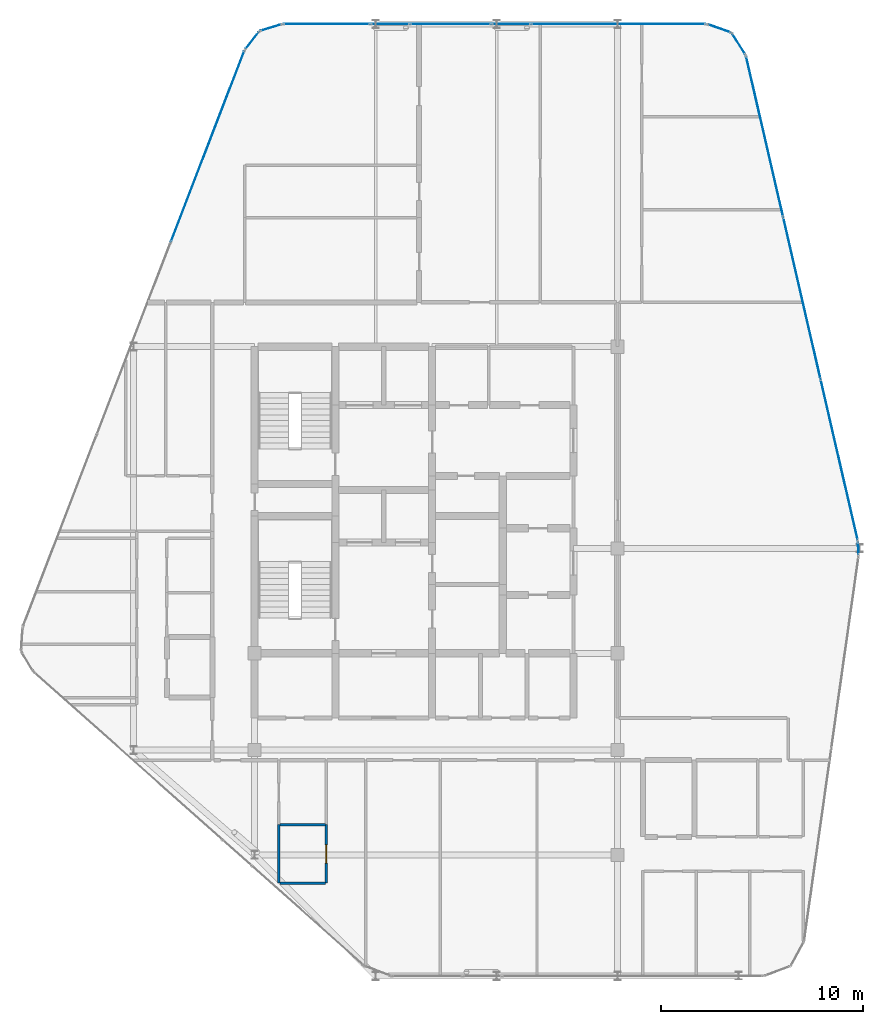
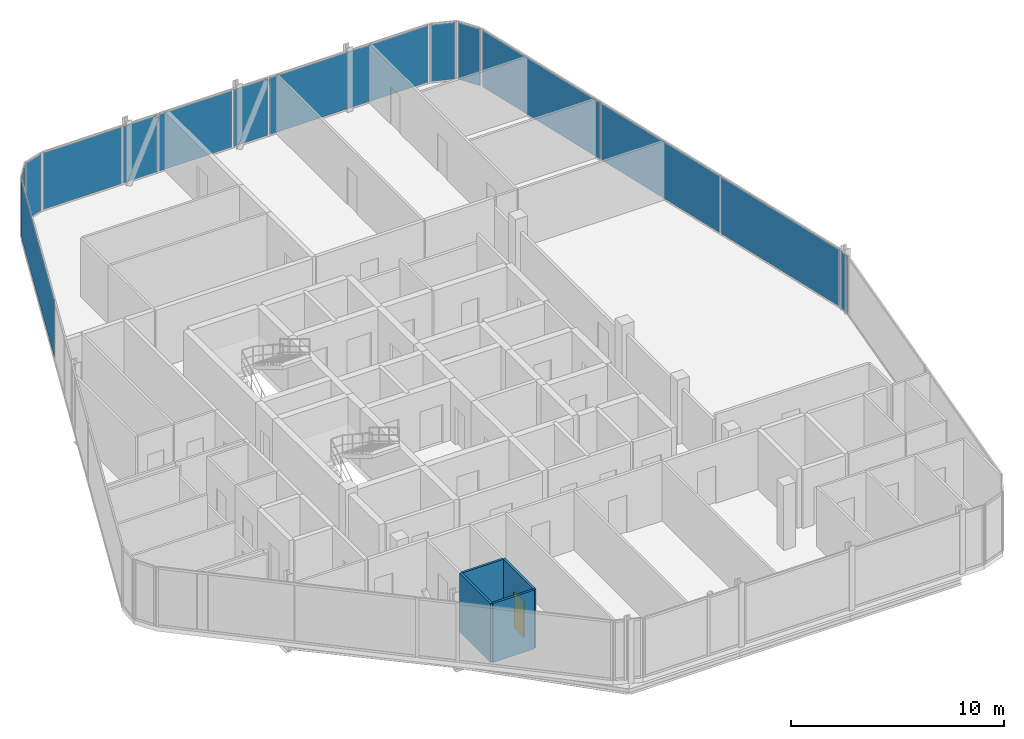
# One storey, part 21 of 27: 14 plates, 4 walls, 1 door, 1 opening, 12 elements without a shape of their own.
"""IFC4 building model written with IfcOpenShell, lengths in metres."""

import ifcopenshell
import ifcopenshell.guid

model = None  # the IFC model being written
_history = None  # IfcOwnerHistory: only IFC2X3 demands one
_inside = {}  # id of a spatial element -> (the spatial element, [elements in it])
_under = {}  # id of a project, library or spatial element -> (it, [spatial elements below it])
_declared = {}  # id of a project -> (the project, [libraries it declares])
_typed = {}  # id of a type object -> (the type object, [elements of that type])
_made_of = {}  # id of a material, layer set ... -> (it, [elements and type objects made of it])


def new_model(schema):
    """Start an empty IFC model of exactly this schema.

    Asked for "IFC4X3", IfcOpenShell would pick the latest addendum, in which some entities
    have other attributes; the version numbers below select the first issue.
    IFC2X3 requires an IfcOwnerHistory on every rooted entity: one is made here for all.
    """
    global model, _history
    if schema == "IFC4X3":
        model = ifcopenshell.file(schema_version=(4, 3, 0, 0))
    else:
        model = ifcopenshell.file(schema=schema)
    _inside.clear()
    _under.clear()
    _declared.clear()
    _typed.clear()
    _made_of.clear()
    _history = None
    if model.schema == "IFC2X3":
        org = make("IfcOrganization", Name="unknown")
        user = make(
            "IfcPersonAndOrganization",
            ThePerson=make("IfcPerson", FamilyName="unknown"),
            TheOrganization=org,
        )
        app = make(
            "IfcApplication",
            ApplicationDeveloper=org,
            Version="unknown",
            ApplicationFullName="unknown",
            ApplicationIdentifier="unknown",
        )
        _history = make(
            "IfcOwnerHistory",
            OwningUser=user,
            OwningApplication=app,
            ChangeAction="ADDED",
            CreationDate=0,
        )
    return model


def make(cls, **values):
    """One entity of the class cls with the attributes given. An attribute that is None is left unset."""
    return model.create_entity(
        cls, **{name: value for name, value in values.items() if value is not None}
    )


def rooted(cls, **values):
    """An entity with a GlobalId (a new one), such as an element, a storey or a relation."""
    return make(cls, GlobalId=ifcopenshell.guid.new(), OwnerHistory=_history, **values)


def si_unit(unit_type, name, prefix=None):
    """IfcSIUnit, for example si_unit("LENGTHUNIT", "METRE", prefix="MILLI")."""
    return make("IfcSIUnit", UnitType=unit_type, Prefix=prefix, Name=name)


def assignment(units):
    """IfcUnitAssignment: the units of a project."""
    return None if units is None else make("IfcUnitAssignment", Units=units)


def point(xyz):
    """IfcCartesianPoint."""
    return None if xyz is None else make("IfcCartesianPoint", Coordinates=xyz)


def direction(xyz):
    """IfcDirection."""
    return None if xyz is None else make("IfcDirection", DirectionRatios=xyz)


def frame(location, z_axis=None, x_axis=None):
    """IfcAxis2Placement3D, a coordinate frame: its origin and axes. An axis left out is left unset."""
    return make(
        "IfcAxis2Placement3D",
        Location=point(location),
        Axis=direction(z_axis),
        RefDirection=direction(x_axis),
    )


def frame_2d(location, x_axis=None):
    """IfcAxis2Placement2D, a coordinate frame in the plane: its origin and x axis."""
    return make(
        "IfcAxis2Placement2D", Location=point(location), RefDirection=direction(x_axis)
    )


def origin():
    """The frame at (0, 0, 0) with its axes left unset."""
    return frame((0.0, 0.0, 0.0))


def origin_2d():
    """The frame at (0, 0) in the plane with its x axis left unset."""
    return frame_2d((0.0, 0.0))


def place(relative_to, where):
    """IfcLocalPlacement: puts the frame where relative to a parent placement (None: the world)."""
    return make(
        "IfcLocalPlacement", PlacementRelTo=relative_to, RelativePlacement=where
    )


def context(
    kind, dimensions, precision=None, world=None, true_north=None, identifier=None
):
    """IfcGeometricRepresentationContext, for example the 3D "Model" context."""
    return make(
        "IfcGeometricRepresentationContext",
        ContextIdentifier=identifier,
        ContextType=kind,
        CoordinateSpaceDimension=dimensions,
        Precision=precision,
        WorldCoordinateSystem=world,
        TrueNorth=true_north,
    )


def subcontext(parent, identifier, kind, view, scale=None):
    """IfcGeometricRepresentationSubContext, for example "Body" below "Model"."""
    return make(
        "IfcGeometricRepresentationSubContext",
        ContextIdentifier=identifier,
        ContextType=kind,
        ParentContext=parent,
        TargetScale=scale,
        TargetView=view,
    )


def project(units=None, contexts=None):
    """IfcProject with its units and contexts."""
    return rooted(
        "IfcProject",
        Name="project",
        RepresentationContexts=contexts,
        UnitsInContext=assignment(units),
    )


def spatial(cls, under=None, at=None, **own):
    """A site, building, storey or space (cls), placed at a placement, below another one or the project."""
    s = rooted(cls, ObjectPlacement=at, **own)
    if under is not None:
        _under.setdefault(under.id(), (under, []))[1].append(s)
    return s


def profile(cls, at=None, kind="AREA", **sizes):
    """A parametric profile (cls). Its sizes go by their IFC names, for example OverallWidth=200.0."""
    return make(cls, ProfileType=kind, Position=at, **sizes)


def rectangle(**sizes):
    """IfcRectangleProfileDef."""
    return profile("IfcRectangleProfileDef", **sizes)


def extrude(swept, where, along, depth):
    """IfcExtrudedAreaSolid: the profile swept, set in the frame where, extruded along a direction by depth."""
    return make(
        "IfcExtrudedAreaSolid",
        SweptArea=swept,
        Position=where,
        ExtrudedDirection=direction(along),
        Depth=depth,
    )


def shape(context_of_items, identifier, shape_type, items):
    """IfcShapeRepresentation: the items that make up one representation, for example the "Body"."""
    return make(
        "IfcShapeRepresentation",
        ContextOfItems=context_of_items,
        RepresentationIdentifier=identifier,
        RepresentationType=shape_type,
        Items=items,
    )


def material(Name=None, Category=None):
    """IfcMaterial."""
    return make("IfcMaterial", Name=Name, Category=Category)


def layer(
    of_material, thickness, ventilated=None, Name=None, Category=None, Priority=None
):
    """IfcMaterialLayer: one layer of a wall or slab, of a material (None: an air gap)."""
    return make(
        "IfcMaterialLayer",
        Material=of_material,
        LayerThickness=thickness,
        IsVentilated=ventilated,
        Name=Name,
        Category=Category,
        Priority=Priority,
    )


def layer_set(layers, Name=None):
    """IfcMaterialLayerSet."""
    return make("IfcMaterialLayerSet", MaterialLayers=layers, LayerSetName=Name)


def made_of(thing, what):
    """Note that an element or type object is made of a material, layer set ...; save() writes the relation."""
    if what is not None:
        _made_of.setdefault(what.id(), (what, []))[1].append(thing)
    return thing


def type_object(cls, material=None, **own):
    """A type object (cls), such as IfcWallType, which elements share."""
    return made_of(rooted(cls, **own), material)


def element(
    cls,
    number,
    at=None,
    inside=None,
    cuts=None,
    type_object=None,
    material=None,
    context=None,
    identifier="Body",
    shape_type=None,
    held_by="IfcProductDefinitionShape",
    body=None,
    shapes=None,
    **own,
):
    """One element of the class cls, such as IfcWall. Its Tag is "e" and its number.

    at: its placement. inside: the storey or other place that contains it. cuts: it is an
    opening in that element (IfcRelVoidsElement). A single representation is given by context,
    identifier, shape_type and body (its items); several are given by shapes. held_by: the class
    of the entity that holds the representations. save() writes the other relations.
    """
    e = rooted(cls, Tag="e%d" % number, ObjectPlacement=at, **own)
    if body is not None:
        shapes = [shape(context, identifier, shape_type, body)]
    if shapes is not None:
        e.Representation = make(held_by, Representations=shapes)
    if inside is not None:
        _inside.setdefault(inside.id(), (inside, []))[1].append(e)
    if cuts is not None:
        rooted(
            "IfcRelVoidsElement", RelatingBuildingElement=cuts, RelatedOpeningElement=e
        )
    if type_object is not None:
        _typed.setdefault(type_object.id(), (type_object, []))[1].append(e)
    return made_of(e, material)


def fill(opening, filler):
    """IfcRelFillsElement: the door or window that sits in an opening."""
    return rooted(
        "IfcRelFillsElement",
        RelatingOpeningElement=opening,
        RelatedBuildingElement=filler,
    )


def aggregate(whole, parts):
    """IfcRelAggregates: a whole, such as a stair, and the parts it consists of."""
    return rooted("IfcRelAggregates", RelatingObject=whole, RelatedObjects=parts)


def save(model, path):
    """Write the relations noted so far, then the file.

    IfcRelAggregates (storeys below a building ...), IfcRelContainedInSpatialStructure (elements
    in a storey), IfcRelDefinesByType, IfcRelAssociatesMaterial and IfcRelDeclares: one each for
    every whole, place, type object, material and project.
    """
    for whole, parts in _under.values():
        aggregate(whole, parts)
    for where, things in _inside.values():
        rooted(
            "IfcRelContainedInSpatialStructure",
            RelatedElements=things,
            RelatingStructure=where,
        )
    for kind, things in _typed.values():
        rooted("IfcRelDefinesByType", RelatedObjects=things, RelatingType=kind)
    for what, things in _made_of.values():
        rooted("IfcRelAssociatesMaterial", RelatedObjects=things, RelatingMaterial=what)
    for by, libraries in _declared.values():
        rooted("IfcRelDeclares", RelatingContext=by, RelatedDefinitions=libraries)
    model.write(path)


model = new_model("IFC4")

# Units and contexts
model_context = context("Model", 3, precision=1e-05, world=origin(), true_north=direction((0.0, 1.0)))
body_context = subcontext(model_context, "Body", "Model", "MODEL_VIEW")
ifc_project = project(units=[si_unit("LENGTHUNIT", "METRE"), si_unit("AREAUNIT", "SQUARE_METRE"), si_unit("VOLUMEUNIT", "CUBIC_METRE"), si_unit("PLANEANGLEUNIT", "RADIAN"), si_unit("MASSUNIT", "GRAM", prefix="KILO")], contexts=[model_context])

# Site, building, storey
site_placement = place(None, origin())
site = spatial("IfcSite", under=ifc_project, at=site_placement, CompositionType="ELEMENT")
building_placement = place(site_placement, origin())
building = spatial("IfcBuilding", under=site, at=building_placement, Name="Keshet Zoharim Tower", CompositionType="ELEMENT")
storey_placement = place(building_placement, frame((0.0, 0.0, 307.300048828125)))
storey = spatial("IfcBuildingStorey", under=building, at=storey_placement, Name="L77", CompositionType="ELEMENT", Elevation=307.300048828125)

# Curtain wall, plate
ifc_material_1 = material(Name="Aluminium 6063-T6", Category="aluminium")
ifc_layer_1 = layer(ifc_material_1, 0.260009765625)
ifc_layer_set_1 = layer_set([ifc_layer_1], Name="Aluminium 6063-T6")
curtain_wall_type = type_object("IfcCurtainWallType", Name="CW-SYS-06", PredefinedType="NOTDEFINED", material=ifc_layer_set_1)
curtain_wall_1_placement = place(storey_placement, origin())
curtain_wall_1 = element("IfcCurtainWall", 1, at=curtain_wall_1_placement, inside=storey, type_object=curtain_wall_type, Name="L77 Unitised Curtain Wall 03", PredefinedType="NOTDEFINED")
ifc_material_2 = material(Name="Insulated Low-E Clear Glass", Category="glass")
ifc_layer_2 = layer(ifc_material_2, 0.028076171875)
ifc_layer_set_2 = layer_set([ifc_layer_2], Name="Insulated Low-E Clear Glass")
plate_type_1 = type_object("IfcPlateType", Name="CWP-03", PredefinedType="CURTAIN_PANEL", material=ifc_layer_set_2)
plate_1_placement = place(storey_placement, frame((12.665771484375, 47.830810546875, 0.070068359375), z_axis=(0.0, 0.0, 1.0), x_axis=(0.358990003907, 0.933341404361, 0.0)))
plate_1 = element("IfcPlate", 2, at=plate_1_placement, type_object=plate_type_1, Name="CW-06 panel 3.1", PredefinedType="CURTAIN_PANEL", context=body_context, shape_type="SweptSolid", body=[
    extrude(rectangle(XDim=10.1181640625, YDim=0.028076171875, at=origin_2d()), origin(), (0.0, 0.0, 1.0), 3.25),
])
aggregate(curtain_wall_1, [plate_1])

curtain_wall_2_placement = place(storey_placement, origin())
curtain_wall_2 = element("IfcCurtainWall", 3, at=curtain_wall_2_placement, inside=storey, type_object=curtain_wall_type, Name="L77 Unitised Curtain Wall 04", PredefinedType="NOTDEFINED")
plate_2_placement = place(storey_placement, frame((14.8740234375, 53.08349609375, 0.070068359375), z_axis=(0.0, 0.0, 1.0), x_axis=(0.619124525989, 0.785292825205, 0.0)))
plate_2 = element("IfcPlate", 4, at=plate_2_placement, type_object=plate_type_1, Name="CW-06 panel 1.1", PredefinedType="CURTAIN_PANEL", context=body_context, shape_type="SweptSolid", body=[
    extrude(rectangle(XDim=1.045654296875, YDim=0.028076171875, at=origin_2d()), origin(), (0.0, 0.0, 1.0), 3.25),
])
aggregate(curtain_wall_2, [plate_2])

curtain_wall_3_placement = place(storey_placement, origin())
curtain_wall_3 = element("IfcCurtainWall", 5, at=curtain_wall_3_placement, inside=storey, type_object=curtain_wall_type, Name="L77 Unitised Curtain Wall 05", PredefinedType="NOTDEFINED")
plate_3_placement = place(storey_placement, frame((15.8076171875, 53.724609375, 0.070068359375), z_axis=(0.0, 0.0, 1.0), x_axis=(0.955212151288, 0.295921857984, 0.0)))
plate_3 = element("IfcPlate", 6, at=plate_3_placement, type_object=plate_type_1, Name="CW-06 panel 1.1", PredefinedType="CURTAIN_PANEL", context=body_context, shape_type="SweptSolid", body=[
    extrude(rectangle(XDim=1.046142578125, YDim=0.028076171875, at=origin_2d()), origin(), (0.0, 0.0, 1.0), 3.25),
])
aggregate(curtain_wall_3, [plate_3])

curtain_wall_4_placement = place(storey_placement, origin())
curtain_wall_4 = element("IfcCurtainWall", 7, at=curtain_wall_4_placement, inside=storey, type_object=curtain_wall_type, Name="L77 Unitised Curtain Wall 06", PredefinedType="NOTDEFINED")
plate_4_placement = place(storey_placement, frame((18.57470703125, 53.89990234375, 0.070068359375), z_axis=(0.0, 0.0, 1.0), x_axis=(1.0, 0.0, 0.0)))
plate_4 = element("IfcPlate", 8, at=plate_4_placement, type_object=plate_type_1, Name="CW-06 panel 1.1", PredefinedType="CURTAIN_PANEL", context=body_context, shape_type="SweptSolid", body=[
    extrude(rectangle(XDim=4.26123046875, YDim=0.028076171875, at=origin_2d()), origin(), (0.0, 0.0, 1.0), 3.25),
])
aggregate(curtain_wall_4, [plate_4])

curtain_wall_5_placement = place(storey_placement, origin())
curtain_wall_5 = element("IfcCurtainWall", 9, at=curtain_wall_5_placement, inside=storey, type_object=curtain_wall_type, Name="L77 Unitised Curtain Wall 06 Part 3", PredefinedType="NOTDEFINED")
plate_5_placement = place(storey_placement, frame((24.715087890625, 53.89990234375, 0.070068359375), z_axis=(0.0, 0.0, 1.0), x_axis=(1.0, 0.0, 0.0)))
plate_5 = element("IfcPlate", 10, at=plate_5_placement, type_object=plate_type_1, Name="CW-06 panel 1.1", PredefinedType="CURTAIN_PANEL", context=body_context, shape_type="SweptSolid", body=[
    extrude(rectangle(XDim=3.98046875, YDim=0.028076171875, at=origin_2d()), origin(), (0.0, 0.0, 1.0), 3.25),
])
aggregate(curtain_wall_5, [plate_5])

curtain_wall_6_placement = place(storey_placement, origin())
curtain_wall_6 = element("IfcCurtainWall", 11, at=curtain_wall_6_placement, inside=storey, type_object=curtain_wall_type, Name="L77 Unitised Curtain Wall 06 Part 5", PredefinedType="NOTDEFINED")
plate_6_placement = place(storey_placement, frame((33.031982421875, 53.89990234375, 0.070068359375), z_axis=(0.0, 0.0, 1.0), x_axis=(1.0, 0.0, 0.0)))
plate_6 = element("IfcPlate", 12, at=plate_6_placement, type_object=plate_type_1, Name="CW-06 panel 1.1", PredefinedType="CURTAIN_PANEL", context=body_context, shape_type="SweptSolid", body=[
    extrude(rectangle(XDim=8.6142578125, YDim=0.028076171875, at=origin_2d()), origin(), (0.0, 0.0, 1.0), 3.25),
])
aggregate(curtain_wall_6, [plate_6])

curtain_wall_7_placement = place(storey_placement, origin())
curtain_wall_7 = element("IfcCurtainWall", 13, at=curtain_wall_7_placement, inside=storey, type_object=curtain_wall_type, Name="L77 Unitised Curtain Wall 07", PredefinedType="NOTDEFINED")
plate_7_placement = place(storey_placement, frame((38.031494140625, 53.6826171875, 0.070068359375), z_axis=(0.0, 0.0, 1.0), x_axis=(0.944035542119, -0.329843743636, 0.0)))
plate_7 = element("IfcPlate", 14, at=plate_7_placement, type_object=plate_type_1, Name="CW-06 panel 1.1", PredefinedType="CURTAIN_PANEL", context=body_context, shape_type="SweptSolid", body=[
    extrude(rectangle(XDim=1.1787109375, YDim=0.028076171875, at=origin_2d()), origin(), (0.0, 0.0, 1.0), 3.25),
])
aggregate(curtain_wall_7, [plate_7])

curtain_wall_8_placement = place(storey_placement, origin())
curtain_wall_8 = element("IfcCurtainWall", 15, at=curtain_wall_8_placement, inside=storey, type_object=curtain_wall_type, Name="L77 Unitised Curtain Wall 08", PredefinedType="NOTDEFINED")
plate_8_placement = place(storey_placement, frame((39.006103515625, 52.907470703125, 0.070068359375), z_axis=(0.0, 0.0, 1.0), x_axis=(0.533878858502, -0.845560976183, 0.0)))
plate_8 = element("IfcPlate", 16, at=plate_8_placement, type_object=plate_type_1, Name="CW-06 panel 1.1", PredefinedType="CURTAIN_PANEL", context=body_context, shape_type="SweptSolid", body=[
    extrude(rectangle(XDim=1.1787109375, YDim=0.028076171875, at=origin_2d()), origin(), (0.0, 0.0, 1.0), 3.25),
])
aggregate(curtain_wall_8, [plate_8])

# Curtain wall, plates
curtain_wall_9_placement = place(storey_placement, origin())
curtain_wall_9 = element("IfcCurtainWall", 17, at=curtain_wall_9_placement, inside=storey, type_object=curtain_wall_type, Name="L77 Unitised Curtain Wall 09", PredefinedType="NOTDEFINED")
plate_9_placement = place(storey_placement, frame((40.288330078125, 48.318359375, 0.070068359375), z_axis=(0.0, 0.0, 1.0), x_axis=(0.224829963294, -0.974398012932, 0.0)))
plate_9 = element("IfcPlate", 18, at=plate_9_placement, type_object=plate_type_1, Name="CW-06 panel 1.1", PredefinedType="CURTAIN_PANEL", context=body_context, shape_type="SweptSolid", body=[
    extrude(rectangle(XDim=8.13525390625, YDim=0.028076171875, at=origin_2d()), origin(), (0.0, 0.0, 1.0), 3.25),
])
plate_10_placement = place(storey_placement, frame((42.136962890625, 40.305908203125, 0.070068359375), z_axis=(0.0, 0.0, 1.0), x_axis=(0.224829963294, -0.974398012932, 0.0)))
plate_10 = element("IfcPlate", 19, at=plate_10_placement, type_object=plate_type_1, Name="CW-06 panel 2.1", PredefinedType="CURTAIN_PANEL", context=body_context, shape_type="SweptSolid", body=[
    extrude(rectangle(XDim=8.17041015625, YDim=0.028076171875, at=origin_2d()), origin(), (0.0, 0.0, 1.0), 3.25),
])
plate_11_placement = place(storey_placement, frame((43.98583984375, 32.293701171875, 0.070068359375), z_axis=(0.0, 0.0, 1.0), x_axis=(0.224829963294, -0.974398012932, 0.0)))
plate_11 = element("IfcPlate", 20, at=plate_11_placement, type_object=plate_type_1, Name="CW-06 panel 3.1", PredefinedType="CURTAIN_PANEL", context=body_context, shape_type="SweptSolid", body=[
    extrude(rectangle(XDim=8.13525390625, YDim=0.028076171875, at=origin_2d()), origin(), (0.0, 0.0, 1.0), 3.25),
])
aggregate(curtain_wall_9, [plate_9, plate_10, plate_11])

# Curtain wall, plate
curtain_wall_10_placement = place(storey_placement, origin())
curtain_wall_10 = element("IfcCurtainWall", 21, at=curtain_wall_10_placement, inside=storey, type_object=curtain_wall_type, Name="L77 Unitised Curtain Wall 10", PredefinedType="NOTDEFINED")
plate_12_placement = place(storey_placement, frame((44.931884765625, 27.89697265625, 0.070068359375), z_axis=(0.0, 0.0, 1.0), x_axis=(0.043793560626, -0.999040601801, 0.0)))
plate_12 = element("IfcPlate", 22, at=plate_12_placement, type_object=plate_type_1, Name="CW-06 panel 1.1", PredefinedType="CURTAIN_PANEL", context=body_context, shape_type="SweptSolid", body=[
    extrude(rectangle(XDim=0.5908203125, YDim=0.028076171875, at=origin_2d()), origin(), (0.0, 0.0, 1.0), 3.25),
])
aggregate(curtain_wall_10, [plate_12])

curtain_wall_11_placement = place(storey_placement, origin())
curtain_wall_11 = element("IfcCurtainWall", 23, at=curtain_wall_11_placement, inside=storey, type_object=curtain_wall_type, Name="L77 Unitised Curtain Wall 06 Part 2", PredefinedType="NOTDEFINED")
ifc_material_3 = material(Name="Insulated Aluminium Spandrel Panel", Category="aluminium")
ifc_layer_3 = layer(ifc_material_3, 0.028076171875)
ifc_layer_set_3 = layer_set([ifc_layer_3], Name="Insulated Aluminium Spandrel Panel")
plate_type_2 = type_object("IfcPlateType", Name="CWP-06", PredefinedType="CURTAIN_PANEL", material=ifc_layer_set_3)
plate_13_placement = place(storey_placement, frame((21.715087890625, 53.89990234375, 0.070068359375), z_axis=(0.0, 0.0, 1.0), x_axis=(1.0, 0.0, 0.0)))
plate_13 = element("IfcPlate", 24, at=plate_13_placement, type_object=plate_type_2, Name="CW-06 spandrel panel 1.1", PredefinedType="CURTAIN_PANEL", context=body_context, shape_type="SweptSolid", body=[
    extrude(rectangle(XDim=1.879638671875, YDim=0.028076171875, at=origin_2d()), origin(), (0.0, 0.0, 1.0), 3.25),
])
aggregate(curtain_wall_11, [plate_13])

curtain_wall_12_placement = place(storey_placement, origin())
curtain_wall_12 = element("IfcCurtainWall", 25, at=curtain_wall_12_placement, inside=storey, type_object=curtain_wall_type, Name="L77 Unitised Curtain Wall 06 Part 4", PredefinedType="NOTDEFINED")
plate_14_placement = place(storey_placement, frame((27.715087890625, 53.89990234375, 0.070068359375), z_axis=(0.0, 0.0, 1.0), x_axis=(1.0, 0.0, 0.0)))
plate_14 = element("IfcPlate", 26, at=plate_14_placement, type_object=plate_type_2, Name="CW-06 spandrel panel 1.1", PredefinedType="CURTAIN_PANEL", context=body_context, shape_type="SweptSolid", body=[
    extrude(rectangle(XDim=1.879638671875, YDim=0.028076171875, at=origin_2d()), origin(), (0.0, 0.0, 1.0), 3.25),
])
aggregate(curtain_wall_12, [plate_14])

# Wall
ifc_material_4 = material(Name="Gypsum Plasterboard", Category="gypsum")
ifc_layer_4 = layer(ifc_material_4, 0.1201171875)
ifc_layer_set_4 = layer_set([ifc_layer_4], Name="Gypsum Plasterboard")
wall_type = type_object("IfcWallType", Name="WL-WET-120", PredefinedType="PARTITIONING", material=ifc_layer_set_4)
wall_1_placement = place(storey_placement, frame((16.199951171875, 11.300048828125, 0.0), z_axis=(0.0, 0.0, 1.0), x_axis=(0.0, 1.0, 0.0)))
element("IfcWall", 27, at=wall_1_placement, inside=storey, type_object=wall_type, Name="L77 Interior Wall 022", PredefinedType="PARTITIONING", context=body_context, shape_type="SweptSolid", body=[
    extrude(rectangle(XDim=2.89990234375, YDim=0.1201171875, at=frame_2d((1.449951171875, 0.0))), origin(), (0.0, 0.0, 1.0), 3.389892578125),
])

# Wall, opening, door
wall_2_placement = place(storey_placement, frame((18.550048828125, 11.300048828125, 0.0), z_axis=(0.0, 0.0, 1.0), x_axis=(0.0, 1.0, 0.0)))
wall_2 = element("IfcWall", 28, at=wall_2_placement, inside=storey, type_object=wall_type, Name="L77 Interior Wall 024", PredefinedType="PARTITIONING", context=body_context, shape_type="SweptSolid", body=[
    extrude(rectangle(XDim=2.89990234375, YDim=0.1201171875, at=frame_2d((1.449951171875, 0.0))), origin(), (0.0, 0.0, 1.0), 3.389892578125),
])
opening_placement = place(wall_2_placement, frame((1.0, 0.0, 0.0)))
opening = element("IfcOpeningElement", 29, at=opening_placement, cuts=wall_2, Name="Opening D-WT90", PredefinedType="OPENING", context=body_context, shape_type="SweptSolid", body=[
    extrude(rectangle(XDim=0.89990234375, YDim=2.10009765625, at=frame_2d((0.449951171875, 1.050048828125))), frame((0.0, 0.070068359375, 0.0), z_axis=(0.0, -1.0, 0.0), x_axis=(1.0, 0.0, 0.0)), (0.0, 0.0, 1.0), 0.14013671875),
])
ifc_material_5 = material(Name="Hardwood Timber", Category="wood")
door_type = type_object("IfcDoorType", Name="DR-WET-090", OperationType="NOTDEFINED", PredefinedType="DOOR", material=ifc_material_5)
door_placement = place(opening_placement, origin())
door = element("IfcDoor", 30, at=door_placement, inside=storey, type_object=door_type, Name="Apartment 7701 Bathroom Door", OperationType="SINGLE_SWING_RIGHT", OverallHeight=2.10009765625, OverallWidth=0.89990234375, PredefinedType="DOOR", context=body_context, shape_type="SweptSolid", body=[
    extrude(rectangle(XDim=0.89990234375, YDim=2.10009765625, at=frame_2d((0.449951171875, 1.050048828125))), frame((0.0, 0.02490234375, 0.0), z_axis=(0.0, -1.0, 0.0), x_axis=(1.0, 0.0, 0.0)), (0.0, 0.0, 1.0), 0.050048828125),
])
fill(opening, door)

# Walls
for number, where, z_axis, x_axis, name in (
    (31, (16.2451171875, 11.300048828125, 0.0), (0.0, 0.0, 1.0), (1.0, 0.0, 0.0), "L77 Interior Wall 071"),
    (32, (16.2451171875, 14.199951171875, 0.0), (0.0, 0.0, 1.0), (1.0, 0.0, 0.0), "L77 Interior Wall 076"),
):
    element("IfcWall", number, at=place(storey_placement, frame(where, z_axis=z_axis, x_axis=x_axis)), inside=storey, type_object=wall_type, Name=name, PredefinedType="PARTITIONING", context=body_context, shape_type="SweptSolid", body=[
        extrude(rectangle(XDim=2.259765625, YDim=0.1201171875, at=frame_2d((1.1298828125, 0.0))), origin(), (0.0, 0.0, 1.0), 3.389892578125),
    ])

save(model, "model.ifc")
